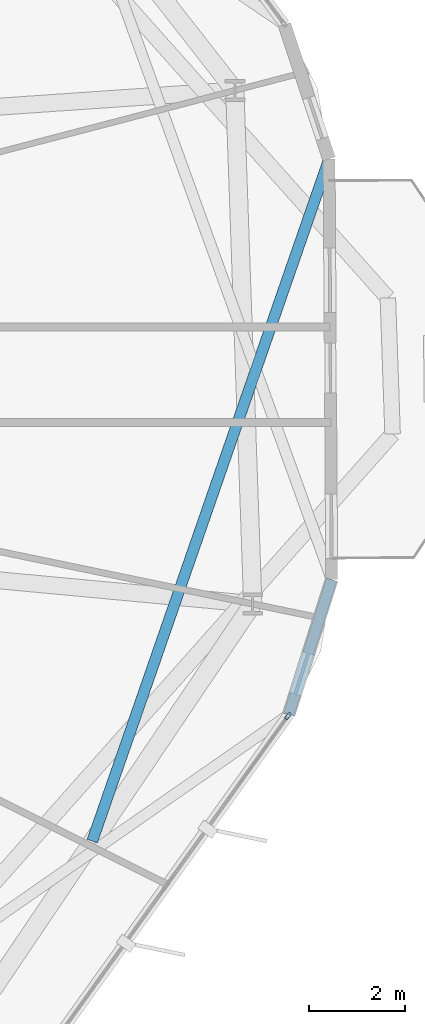
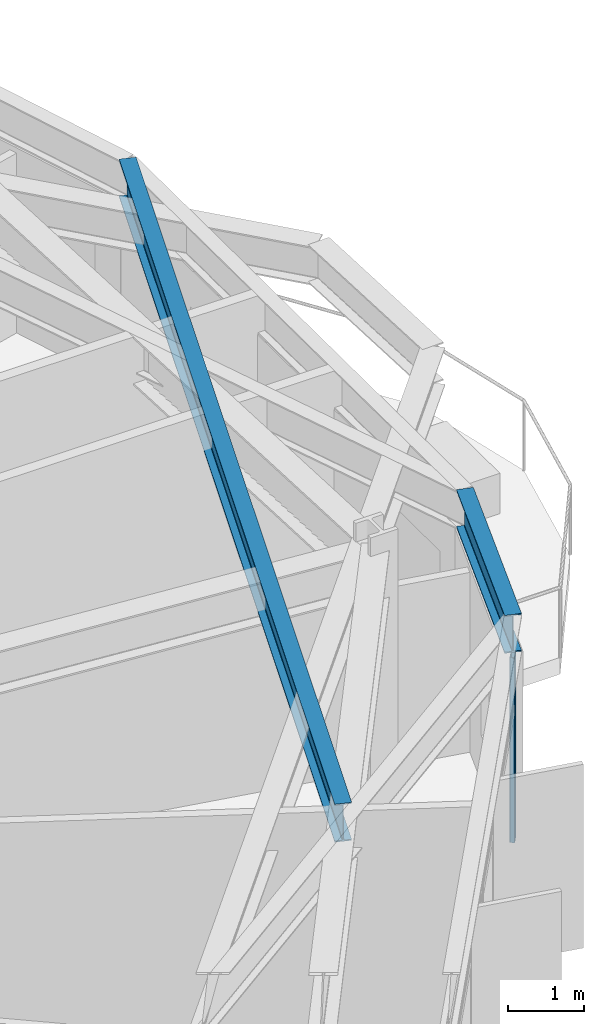
# One storey, part 14 of 27: 2 beams, 1 member, 1 element without a shape of its own.
"""IFC4 building model written with IfcOpenShell, lengths in metres."""

from ifc_helpers import new_model, si_unit, direction, frame, origin, origin_2d, place, context, subcontext, project, spatial, hollow_rectangle, i_section, extrude, material, layer, layer_set, material_profile, profile_set, type_object, element, aggregate, save


model = new_model("IFC4")

# Units and contexts
model_context = context("Model", 3, precision=1e-05, world=origin(), true_north=direction((0.0, 1.0)))
body_context = subcontext(model_context, "Body", "Model", "MODEL_VIEW")
ifc_project = project(units=[si_unit("LENGTHUNIT", "METRE"), si_unit("AREAUNIT", "SQUARE_METRE"), si_unit("VOLUMEUNIT", "CUBIC_METRE"), si_unit("PLANEANGLEUNIT", "RADIAN"), si_unit("MASSUNIT", "GRAM", prefix="KILO")], contexts=[model_context])

# Site, building, storey
site_placement = place(None, origin())
site = spatial("IfcSite", under=ifc_project, at=site_placement, CompositionType="ELEMENT")
building_placement = place(site_placement, origin())
building = spatial("IfcBuilding", under=site, at=building_placement, Name="Soratama Intermodal Tower", CompositionType="ELEMENT")
storey_placement = place(building_placement, frame((0.0, 0.0, 99.10009765625)))
storey = spatial("IfcBuildingStorey", under=building, at=storey_placement, Name="L23", CompositionType="ELEMENT", Elevation=99.10009765625)

# Beams
ifc_material_1 = material(Name="Structural steel ASTM A992 Grade 50", Category="steel")
ifc_material_profile_1 = material_profile(ifc_material_1, i_section(OverallWidth=0.22900390625, OverallDepth=0.612060546875, WebThickness=0.011962890625, FlangeThickness=0.01953125, FilletRadius=0.012939453125, at=origin_2d()), Name="W24X84")
ifc_profile_set_1 = profile_set([ifc_material_profile_1], Name="Structural steel ASTM A992 Grade 50")
beam_type_1 = type_object("IfcBeamType", Name="BM-SPN-W24X84", PredefinedType="SPANDREL", material=ifc_profile_set_1)
beam_1_placement = place(storey_placement, frame((62.47998046875, 17.885009765625, 3.2939453125), z_axis=(0.303037195022, 0.952978729266, 0.0), x_axis=(-0.952978729266, 0.303037195022, 0.0)))
element("IfcBeam", 1, at=beam_1_placement, inside=storey, type_object=beam_type_1, Name="BS-L23-CRN09", PredefinedType="SPANDREL", context=body_context, shape_type="SweptSolid", body=[
    extrude(i_section(OverallWidth=0.22900390625, OverallDepth=0.612060546875, WebThickness=0.011962890625, FlangeThickness=0.01953125, FilletRadius=0.012939453125, at=origin_2d()), origin(), (0.0, 0.0, 1.0), 2.96630859375),
])
ifc_material_2 = material(Name="Structural steel ASTM A992 Grade 50", Category="steel")
ifc_material_profile_2 = material_profile(ifc_material_2, i_section(OverallWidth=0.22900390625, OverallDepth=0.612060546875, WebThickness=0.011962890625, FlangeThickness=0.01953125, FilletRadius=0.012939453125, at=origin_2d()), Name="W24X84")
ifc_profile_set_2 = profile_set([ifc_material_profile_2], Name="Structural steel ASTM A992 Grade 50")
beam_type_2 = type_object("IfcBeamType", Name="BM-TIE-W24X84", PredefinedType="BEAM", material=ifc_profile_set_2)
beam_2_placement = place(storey_placement, frame((58.366943359375, 15.241943359375, 3.2939453125), z_axis=(0.328014292038, 0.944672760388, 0.0), x_axis=(-0.944672760388, 0.328014292038, 0.0)))
element("IfcBeam", 2, at=beam_2_placement, inside=storey, type_object=beam_type_2, Name="BM-L23-TIE1-10", PredefinedType="BEAM", context=body_context, shape_type="SweptSolid", body=[
    extrude(i_section(OverallWidth=0.22900390625, OverallDepth=0.612060546875, WebThickness=0.011962890625, FlangeThickness=0.01953125, FilletRadius=0.012939453125, at=origin_2d()), origin(), (0.0, 0.0, 1.0), 15.1123046875),
])

# Curtain wall, member
ifc_material_3 = material(Name="Double-glazed aluminium curtain wall", Category="aluminium")
ifc_layer = layer(ifc_material_3, 0.159912109375)
ifc_layer_set = layer_set([ifc_layer], Name="Double-glazed aluminium curtain wall")
curtain_wall_type = type_object("IfcCurtainWallType", Name="CW-SYS-3", PredefinedType="NOTDEFINED", material=ifc_layer_set)
curtain_wall_placement = place(storey_placement, origin())
curtain_wall = element("IfcCurtainWall", 3, at=curtain_wall_placement, inside=storey, type_object=curtain_wall_type, Name="L23 Faceted Curtain Wall F09", PredefinedType="NOTDEFINED")
ifc_material_4 = material(Name="Anodised aluminium AA 6063-T6", Category="aluminium")
ifc_material_profile_3 = material_profile(ifc_material_4, hollow_rectangle(XDim=0.070068359375, YDim=0.159912109375, WallThickness=0.0048828125, InnerFilletRadius=0.0048828125, OuterFilletRadius=0.010009765625, at=origin_2d()), Name="CWM160X70X5")
ifc_profile_set_3 = profile_set([ifc_material_profile_3], Name="Anodised aluminium AA 6063-T6")
member_type = type_object("IfcMemberType", Name="MT-CWM-3", PredefinedType="MULLION", material=ifc_profile_set_3)
member_placement = place(storey_placement, frame((62.462646484375, 17.86083984375, 0.0), z_axis=(0.0, 0.0, 1.0), x_axis=(-0.812696409232, 0.582687348774, 0.0)))
member = element("IfcMember", 4, at=member_placement, type_object=member_type, Name="CW-3 mullion 3", PredefinedType="MULLION", context=body_context, shape_type="SweptSolid", body=[
    extrude(hollow_rectangle(XDim=0.070068359375, YDim=0.159912109375, WallThickness=0.0048828125, InnerFilletRadius=0.0048828125, OuterFilletRadius=0.010009765625, at=origin_2d()), origin(), (0.0, 0.0, 1.0), 2.97900390625),
])
aggregate(curtain_wall, [member])

save(model, "model.ifc")
